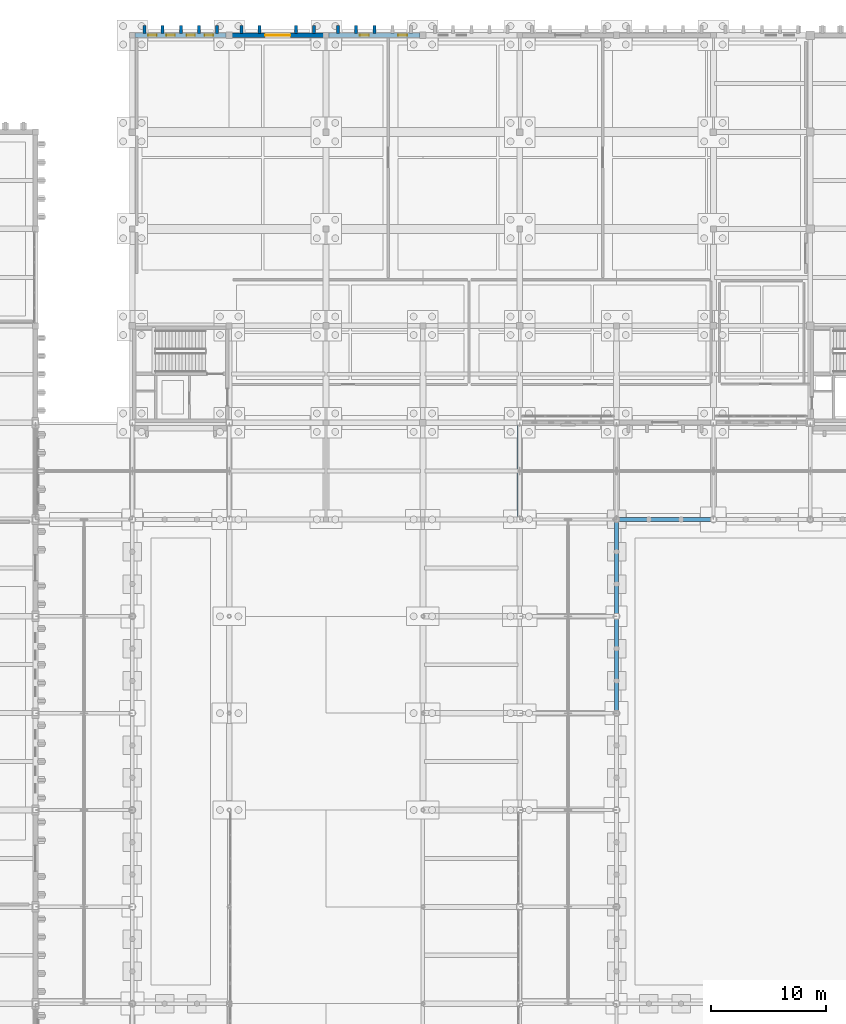
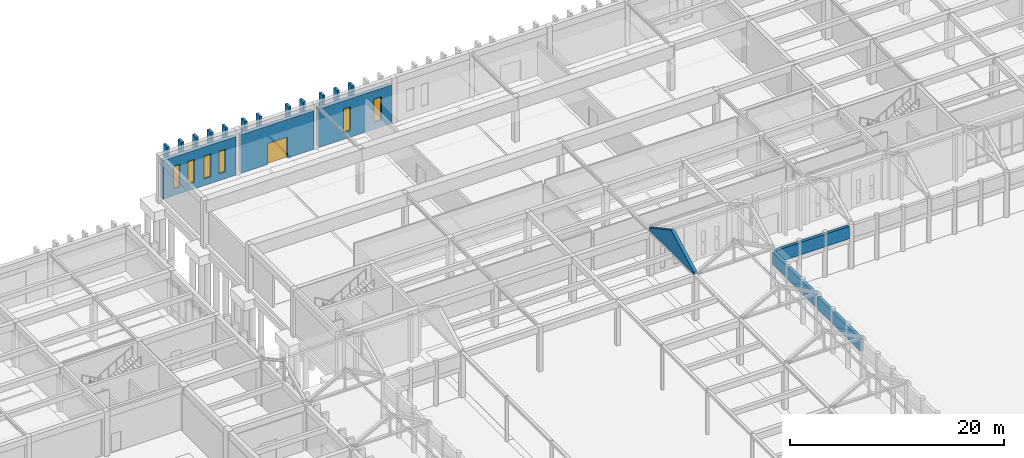
# One storey, part 118 of 143: 19 walls, 6 windows, 1 door, 7 openings.
"""IFC4 building model written with IfcOpenShell, lengths in metres."""

from ifc_helpers import new_model, si_unit, direction, frame, frame_2d, origin, place, context, subcontext, project, spatial, polyline, rectangle, outline, extrude, material, layer, layer_set, type_object, element, fill, save


model = new_model("IFC4")

# Units and contexts
model_context = context("Model", 3, precision=1e-05, world=origin(), true_north=direction((0.0, 1.0)))
body_context = subcontext(model_context, "Body", "Model", "MODEL_VIEW")
ifc_project = project(units=[si_unit("LENGTHUNIT", "METRE"), si_unit("AREAUNIT", "SQUARE_METRE"), si_unit("VOLUMEUNIT", "CUBIC_METRE"), si_unit("PLANEANGLEUNIT", "RADIAN"), si_unit("MASSUNIT", "GRAM", prefix="KILO")], contexts=[model_context])

# Site, building, storey
site_placement = place(None, origin())
site = spatial("IfcSite", under=ifc_project, at=site_placement, CompositionType="ELEMENT")
building_placement = place(site_placement, origin())
building = spatial("IfcBuilding", under=site, at=building_placement, Name="Kveldsbrygga Polytechnic", CompositionType="ELEMENT")
storey_placement = place(building_placement, origin())
storey = spatial("IfcBuildingStorey", under=building, at=storey_placement, Name="L00", CompositionType="ELEMENT", Elevation=0.0)

# Walls
ifc_material_1 = material(Name="Fired clay brick masonry M10", Category="masonry")
ifc_layer_1 = layer(ifc_material_1, 0.320068359375)
ifc_layer_set_1 = layer_set([ifc_layer_1], Name="Fired clay brick masonry M10")
wall_type_1 = type_object("IfcWallType", Name="EW-ARC-320", PredefinedType="SOLIDWALL", material=ifc_layer_set_1)
wall_1_placement = place(storey_placement, frame((84.2099609375, 75.60009765625, 3.455078125), z_axis=(0.0, 0.0, 1.0), x_axis=(1.0, 0.0, 0.0)))
element("IfcWall", 1, at=wall_1_placement, inside=storey, type_object=wall_type_1, Name="Cloister Arcade Brick Arch Header ARC-HDR-12", PredefinedType="SOLIDWALL", context=body_context, shape_type="SweptSolid", body=[
    extrude(rectangle(XDim=7.929931640625, YDim=0.320068359375, at=frame_2d((3.96484375, 0.0))), origin(), (0.0, 0.0, 1.0), 1.4248046875),
])
wall_2_placement = place(storey_placement, frame((84.0, 58.985107421875, 3.455078125), z_axis=(0.0, 0.0, 1.0), x_axis=(0.0, 1.0, 0.0)))
element("IfcWall", 2, at=wall_2_placement, inside=storey, type_object=wall_type_1, Name="Cloister Arcade Brick Arch Header ARC-HDR-19", PredefinedType="SOLIDWALL", context=body_context, shape_type="SweptSolid", body=[
    extrude(rectangle(XDim=8.0048828125, YDim=0.320068359375, at=frame_2d((4.00244140625, 0.0))), origin(), (0.0, 0.0, 1.0), 1.4248046875),
])
wall_3_placement = place(storey_placement, frame((84.0, 67.409912109375, 3.455078125), z_axis=(0.0, 0.0, 1.0), x_axis=(0.0, 1.0, 0.0)))
element("IfcWall", 3, at=wall_3_placement, inside=storey, type_object=wall_type_1, Name="Cloister Arcade Brick Arch Header ARC-HDR-20", PredefinedType="SOLIDWALL", context=body_context, shape_type="SweptSolid", body=[
    extrude(rectangle(XDim=7.97998046875, YDim=0.320068359375, at=frame_2d((3.989990234375, 0.0))), origin(), (0.0, 0.0, 1.0), 1.4248046875),
])

# Wall, openings, windows
ifc_layer_2 = layer(ifc_material_1, 0.419921875)
ifc_layer_set_2 = layer_set([ifc_layer_2], Name="Fired clay brick masonry M10")
wall_type_2 = type_object("IfcWallType", Name="EW-BRICK-420", PredefinedType="SOLIDWALL", material=ifc_layer_set_2)
wall_4_placement = place(storey_placement, frame((42.235107421875, 117.60009765625, 0.0), z_axis=(0.0, 0.0, 1.0), x_axis=(1.0, 0.0, 0.0)))
wall_4 = element("IfcWall", 4, at=wall_4_placement, inside=storey, type_object=wall_type_2, Name="Exterior Brick Wall EW-L00-X-05-14", PredefinedType="SOLIDWALL", context=body_context, shape_type="SweptSolid", body=[
    extrude(rectangle(XDim=7.90478515625, YDim=0.419921875, at=frame_2d((3.952392578125, 0.0))), origin(), (0.0, 0.0, 1.0), 4.39990234375),
])
opening_1_placement = place(wall_4_placement, frame((1.141845703125, 0.0, 0.75)))
opening_1 = element("IfcOpeningElement", 5, at=opening_1_placement, cuts=wall_4, Name="Opening W-01", PredefinedType="OPENING", context=body_context, shape_type="SweptSolid", body=[
    extrude(rectangle(XDim=0.719970703125, YDim=2.60009765625, at=frame_2d((0.35986328125, 1.300048828125))), frame((0.0, 0.219970703125, 0.0), z_axis=(0.0, -1.0, 0.0), x_axis=(1.0, 0.0, 0.0)), (0.0, 0.0, 1.0), 0.43994140625),
])
opening_2_placement = place(wall_4_placement, frame((2.722900390625, 0.0, 0.75)))
opening_2 = element("IfcOpeningElement", 6, at=opening_2_placement, cuts=wall_4, Name="Opening W-01", PredefinedType="OPENING", context=body_context, shape_type="SweptSolid", body=[
    extrude(rectangle(XDim=0.719970703125, YDim=2.60009765625, at=frame_2d((0.35986328125, 1.300048828125))), frame((0.0, 0.219970703125, 0.0), z_axis=(0.0, -1.0, 0.0), x_axis=(1.0, 0.0, 0.0)), (0.0, 0.0, 1.0), 0.43994140625),
])
opening_3_placement = place(wall_4_placement, frame((4.462158203125, 0.0, 0.75)))
opening_3 = element("IfcOpeningElement", 7, at=opening_3_placement, cuts=wall_4, Name="Opening W-01", PredefinedType="OPENING", context=body_context, shape_type="SweptSolid", body=[
    extrude(rectangle(XDim=0.719970703125, YDim=2.60009765625, at=frame_2d((0.35986328125, 1.300048828125))), frame((0.0, 0.219970703125, 0.0), z_axis=(0.0, -1.0, 0.0), x_axis=(1.0, 0.0, 0.0)), (0.0, 0.0, 1.0), 0.43994140625),
])
opening_4_placement = place(wall_4_placement, frame((6.04296875, 0.0, 0.75)))
opening_4 = element("IfcOpeningElement", 8, at=opening_4_placement, cuts=wall_4, Name="Opening W-01", PredefinedType="OPENING", context=body_context, shape_type="SweptSolid", body=[
    extrude(rectangle(XDim=0.719970703125, YDim=2.60009765625, at=frame_2d((0.35986328125, 1.300048828125))), frame((0.0, 0.219970703125, 0.0), z_axis=(0.0, -1.0, 0.0), x_axis=(1.0, 0.0, 0.0)), (0.0, 0.0, 1.0), 0.43994140625),
])
ifc_material_2 = material(Name="Insulated triple low-E glass", Category="glass")
window_type_1 = type_object("IfcWindowType", Name="WN-LANC-072x260", PartitioningType="DOUBLE_PANEL_VERTICAL", PredefinedType="WINDOW", material=ifc_material_2)
window_1_placement = place(opening_1_placement, origin())
window_1 = element("IfcWindow", 9, at=window_1_placement, inside=storey, type_object=window_type_1, Name="Gothic Lancet Window WIN-L00-X-05-14-1", OverallHeight=2.60009765625, OverallWidth=0.719970703125, PartitioningType="DOUBLE_PANEL_VERTICAL", PredefinedType="WINDOW", context=body_context, shape_type="SweptSolid", body=[
    extrude(rectangle(XDim=0.719970703125, YDim=2.60009765625, at=frame_2d((0.35986328125, 1.300048828125))), frame((0.0, 0.030029296875, 0.0), z_axis=(0.0, -1.0, 0.0), x_axis=(1.0, 0.0, 0.0)), (0.0, 0.0, 1.0), 0.06005859375),
])
fill(opening_1, window_1)
window_2_placement = place(opening_2_placement, origin())
window_2 = element("IfcWindow", 10, at=window_2_placement, inside=storey, type_object=window_type_1, Name="Gothic Lancet Window WIN-L00-X-05-14-2", OverallHeight=2.60009765625, OverallWidth=0.719970703125, PartitioningType="DOUBLE_PANEL_VERTICAL", PredefinedType="WINDOW", context=body_context, shape_type="SweptSolid", body=[
    extrude(rectangle(XDim=0.719970703125, YDim=2.60009765625, at=frame_2d((0.35986328125, 1.300048828125))), frame((0.0, 0.030029296875, 0.0), z_axis=(0.0, -1.0, 0.0), x_axis=(1.0, 0.0, 0.0)), (0.0, 0.0, 1.0), 0.06005859375),
])
fill(opening_2, window_2)
window_3_placement = place(opening_3_placement, origin())
window_3 = element("IfcWindow", 11, at=window_3_placement, inside=storey, type_object=window_type_1, Name="Gothic Lancet Window WIN-L00-X-05-14-3", OverallHeight=2.60009765625, OverallWidth=0.719970703125, PartitioningType="DOUBLE_PANEL_VERTICAL", PredefinedType="WINDOW", context=body_context, shape_type="SweptSolid", body=[
    extrude(rectangle(XDim=0.719970703125, YDim=2.60009765625, at=frame_2d((0.35986328125, 1.300048828125))), frame((0.0, 0.030029296875, 0.0), z_axis=(0.0, -1.0, 0.0), x_axis=(1.0, 0.0, 0.0)), (0.0, 0.0, 1.0), 0.06005859375),
])
fill(opening_3, window_3)
window_4_placement = place(opening_4_placement, origin())
window_4 = element("IfcWindow", 12, at=window_4_placement, inside=storey, type_object=window_type_1, Name="Gothic Lancet Window WIN-L00-X-05-14-4", OverallHeight=2.60009765625, OverallWidth=0.719970703125, PartitioningType="DOUBLE_PANEL_VERTICAL", PredefinedType="WINDOW", context=body_context, shape_type="SweptSolid", body=[
    extrude(rectangle(XDim=0.719970703125, YDim=2.60009765625, at=frame_2d((0.35986328125, 1.300048828125))), frame((0.0, 0.030029296875, 0.0), z_axis=(0.0, -1.0, 0.0), x_axis=(1.0, 0.0, 0.0)), (0.0, 0.0, 1.0), 0.06005859375),
])
fill(opening_4, window_4)

# Wall, opening, door
wall_5_placement = place(storey_placement, frame((50.659912109375, 117.60009765625, 0.0), z_axis=(0.0, 0.0, 1.0), x_axis=(1.0, 0.0, 0.0)))
wall_5 = element("IfcWall", 13, at=wall_5_placement, inside=storey, type_object=wall_type_2, Name="Exterior Brick Wall EW-L00-X-06-14", PredefinedType="SOLIDWALL", context=body_context, shape_type="SweptSolid", body=[
    extrude(rectangle(XDim=7.905029296875, YDim=0.419921875, at=frame_2d((3.95263671875, 0.0))), origin(), (0.0, 0.0, 1.0), 4.39990234375),
])
opening_5_placement = place(wall_5_placement, frame((2.8525390625, 0.0, 0.0)))
opening_5 = element("IfcOpeningElement", 14, at=opening_5_placement, cuts=wall_5, Name="Opening ED-05", PredefinedType="OPENING", context=body_context, shape_type="SweptSolid", body=[
    extrude(rectangle(XDim=2.199951171875, YDim=2.39990234375, at=frame_2d((1.10009765625, 1.199951171875))), frame((0.0, 0.219970703125, 0.0), z_axis=(0.0, -1.0, 0.0), x_axis=(1.0, 0.0, 0.0)), (0.0, 0.0, 1.0), 0.43994140625),
])
ifc_material_3 = material(Name="Anodised aluminium AW-6060", Category="aluminium")
door_type = type_object("IfcDoorType", Name="ED-MAIN-220x240", OperationType="DOUBLE_DOOR_SINGLE_SWING", PredefinedType="DOOR", material=ifc_material_3)
door_placement = place(opening_5_placement, origin())
door = element("IfcDoor", 15, at=door_placement, inside=storey, type_object=door_type, Name="Pedestrian Exit Door ED-05", OperationType="DOUBLE_DOOR_SINGLE_SWING", OverallHeight=2.39990234375, OverallWidth=2.199951171875, PredefinedType="DOOR", context=body_context, shape_type="SweptSolid", body=[
    extrude(rectangle(XDim=2.199951171875, YDim=2.39990234375, at=frame_2d((1.10009765625, 1.199951171875))), frame((0.0, 0.02490234375, 0.0), z_axis=(0.0, -1.0, 0.0), x_axis=(1.0, 0.0, 0.0)), (0.0, 0.0, 1.0), 0.050048828125),
])
fill(opening_5, door)

# Wall, openings, windows
wall_6_placement = place(storey_placement, frame((59.034912109375, 117.60009765625, 0.0), z_axis=(0.0, 0.0, 1.0), x_axis=(1.0, 0.0, 0.0)))
wall_6 = element("IfcWall", 16, at=wall_6_placement, inside=storey, type_object=wall_type_2, Name="Exterior Brick Wall EW-L00-X-07-14", PredefinedType="SOLIDWALL", context=body_context, shape_type="SweptSolid", body=[
    extrude(rectangle(XDim=7.905029296875, YDim=0.419921875, at=frame_2d((3.95263671875, 0.0))), origin(), (0.0, 0.0, 1.0), 4.39990234375),
])
opening_6_placement = place(wall_6_placement, frame((2.69287109375, 0.0, 0.75)))
opening_6 = element("IfcOpeningElement", 17, at=opening_6_placement, cuts=wall_6, Name="Opening W-07", PredefinedType="OPENING", context=body_context, shape_type="SweptSolid", body=[
    extrude(rectangle(XDim=0.780029296875, YDim=2.699951171875, at=frame_2d((0.39013671875, 1.35009765625))), frame((0.0, 0.219970703125, 0.0), z_axis=(0.0, -1.0, 0.0), x_axis=(1.0, 0.0, 0.0)), (0.0, 0.0, 1.0), 0.43994140625),
])
opening_7_placement = place(wall_6_placement, frame((6.012939453125, 0.0, 0.75)))
opening_7 = element("IfcOpeningElement", 18, at=opening_7_placement, cuts=wall_6, Name="Opening W-07", PredefinedType="OPENING", context=body_context, shape_type="SweptSolid", body=[
    extrude(rectangle(XDim=0.780029296875, YDim=2.699951171875, at=frame_2d((0.39013671875, 1.35009765625))), frame((0.0, 0.219970703125, 0.0), z_axis=(0.0, -1.0, 0.0), x_axis=(1.0, 0.0, 0.0)), (0.0, 0.0, 1.0), 0.43994140625),
])
window_type_2 = type_object("IfcWindowType", Name="WN-LANC-078x270", PartitioningType="DOUBLE_PANEL_VERTICAL", PredefinedType="WINDOW", material=ifc_material_2)
window_5_placement = place(opening_6_placement, origin())
window_5 = element("IfcWindow", 19, at=window_5_placement, inside=storey, type_object=window_type_2, Name="Gothic Lancet Window WIN-L00-X-07-14-2", OverallHeight=2.699951171875, OverallWidth=0.780029296875, PartitioningType="DOUBLE_PANEL_VERTICAL", PredefinedType="WINDOW", context=body_context, shape_type="SweptSolid", body=[
    extrude(rectangle(XDim=0.780029296875, YDim=2.699951171875, at=frame_2d((0.39013671875, 1.35009765625))), frame((0.0, 0.030029296875, 0.0), z_axis=(0.0, -1.0, 0.0), x_axis=(1.0, 0.0, 0.0)), (0.0, 0.0, 1.0), 0.06005859375),
])
fill(opening_6, window_5)
window_6_placement = place(opening_7_placement, origin())
window_6 = element("IfcWindow", 20, at=window_6_placement, inside=storey, type_object=window_type_2, Name="Gothic Lancet Window WIN-L00-X-07-14-4", OverallHeight=2.699951171875, OverallWidth=0.780029296875, PartitioningType="DOUBLE_PANEL_VERTICAL", PredefinedType="WINDOW", context=body_context, shape_type="SweptSolid", body=[
    extrude(rectangle(XDim=0.780029296875, YDim=2.699951171875, at=frame_2d((0.39013671875, 1.35009765625))), frame((0.0, 0.030029296875, 0.0), z_axis=(0.0, -1.0, 0.0), x_axis=(1.0, 0.0, 0.0)), (0.0, 0.0, 1.0), 0.06005859375),
])
fill(opening_7, window_6)

# Walls
ifc_layer_3 = layer(ifc_material_1, 0.260009765625)
ifc_layer_set_3 = layer_set([ifc_layer_3], Name="Fired clay brick masonry M10")
wall_type_3 = type_object("IfcWallType", Name="EW-BUTT-260", PredefinedType="SOLIDWALL", material=ifc_layer_set_3)
for number, where, z_axis, x_axis, name in (
    (21, (43.050048828125, 117.764892578125, -0.320068359375), (0.0, 0.0, 1.0), (0.0, 1.0, 0.0), "Gothic Brick Buttress Pier BUTT-L00-X-05-14-1"),
    (22, (44.6201171875, 117.764892578125, -0.320068359375), (0.0, 0.0, 1.0), (0.0, 1.0, 0.0), "Gothic Brick Buttress Pier BUTT-L00-X-05-14-2"),
    (23, (46.199951171875, 117.764892578125, -0.320068359375), (0.0, 0.0, 1.0), (0.0, 1.0, 0.0), "Gothic Brick Buttress Pier BUTT-L00-X-05-14-3"),
    (24, (47.780029296875, 117.764892578125, -0.320068359375), (0.0, 0.0, 1.0), (0.0, 1.0, 0.0), "Gothic Brick Buttress Pier BUTT-L00-X-05-14-4"),
    (25, (49.35009765625, 117.764892578125, -0.320068359375), (0.0, 0.0, 1.0), (0.0, 1.0, 0.0), "Gothic Brick Buttress Pier BUTT-L00-X-05-14-5"),
    (26, (51.449951171875, 117.764892578125, -0.320068359375), (0.0, 0.0, 1.0), (0.0, 1.0, 0.0), "Gothic Brick Buttress Pier BUTT-L00-X-06-14-1"),
    (27, (53.02001953125, 117.764892578125, -0.320068359375), (0.0, 0.0, 1.0), (0.0, 1.0, 0.0), "Gothic Brick Buttress Pier BUTT-L00-X-06-14-2"),
    (28, (56.179931640625, 117.764892578125, -0.320068359375), (0.0, 0.0, 1.0), (0.0, 1.0, 0.0), "Gothic Brick Buttress Pier BUTT-L00-X-06-14-4"),
    (29, (57.75, 117.764892578125, -0.320068359375), (0.0, 0.0, 1.0), (0.0, 1.0, 0.0), "Gothic Brick Buttress Pier BUTT-L00-X-06-14-5"),
    (30, (59.85009765625, 117.764892578125, -0.320068359375), (0.0, 0.0, 1.0), (0.0, 1.0, 0.0), "Gothic Brick Buttress Pier BUTT-L00-X-07-14-1"),
    (31, (61.419921875, 117.764892578125, -0.320068359375), (0.0, 0.0, 1.0), (0.0, 1.0, 0.0), "Gothic Brick Buttress Pier BUTT-L00-X-07-14-2"),
    (32, (63.0, 117.764892578125, -0.320068359375), (0.0, 0.0, 1.0), (0.0, 1.0, 0.0), "Gothic Brick Buttress Pier BUTT-L00-X-07-14-3"),
):
    element("IfcWall", number, at=place(storey_placement, frame(where, z_axis=z_axis, x_axis=x_axis)), inside=storey, type_object=wall_type_3, Name=name, PredefinedType="SOLIDWALL", context=body_context, shape_type="SweptSolid", body=[
        extrude(rectangle(XDim=0.7001953125, YDim=0.260009765625, at=frame_2d((0.35009765625, 0.0))), origin(), (0.0, 0.0, 1.0), 5.760009765625),
    ])
ifc_layer_4 = layer(ifc_material_1, 0.35009765625)
ifc_layer_set_4 = layer_set([ifc_layer_4], Name="Fired clay brick masonry M10")
wall_type_4 = type_object("IfcWallType", Name="EW-GABLE-350", PredefinedType="SOLIDWALL", material=ifc_layer_set_4)
wall_7_placement = place(storey_placement, frame((75.60009765625, 75.60009765625, 5.14501953125), z_axis=(0.0, 0.0, 1.0), x_axis=(0.0, 1.0, 0.0)))
element("IfcWall", 33, at=wall_7_placement, inside=storey, type_object=wall_type_4, Name="Brick Gable Tympanum GBL-ARC-EN-A", PredefinedType="SOLIDWALL", context=body_context, shape_type="SweptSolid", body=[
    extrude(outline(polyline([(0.0, 0.0), (8.39990234375, 0.0), (8.39990234375, 0.25), (4.199951171875, 2.48876953125), (0.0, 0.25), (0.0, 0.0)])), frame((0.0, 0.175048828125, 0.0), z_axis=(0.0, -1.0, 0.0), x_axis=(1.0, 0.0, 0.0)), (0.0, 0.0, 1.0), 0.35009765625),
])

save(model, "model.ifc")
